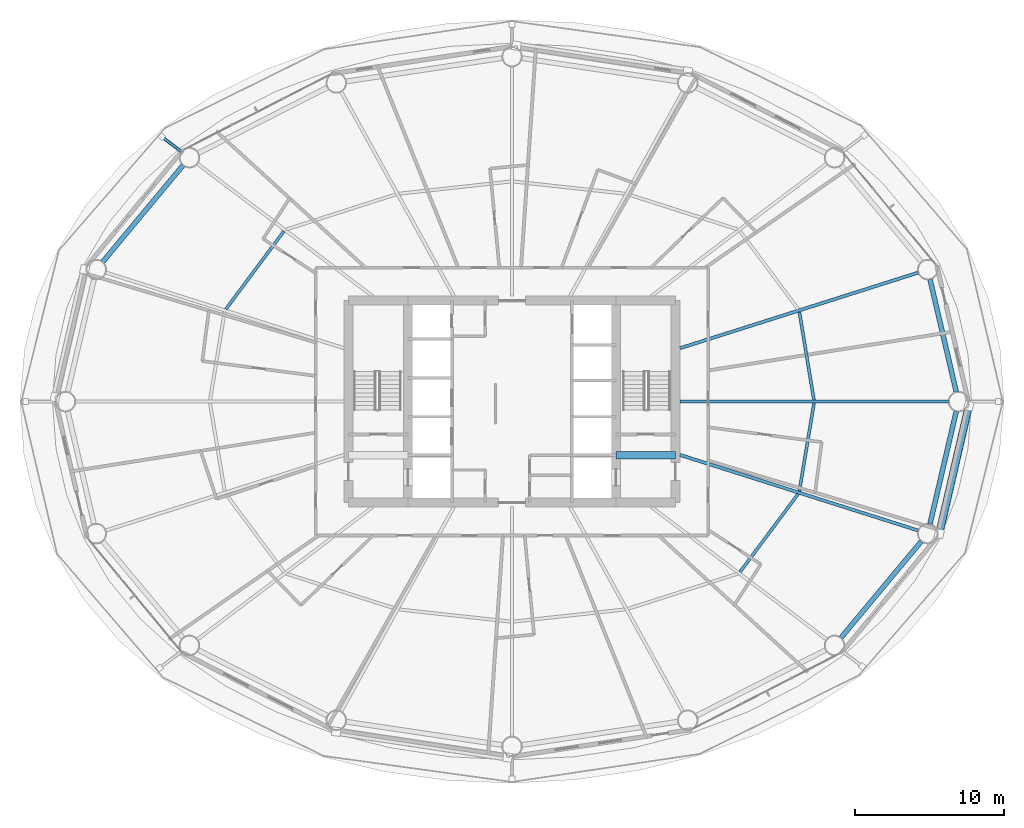
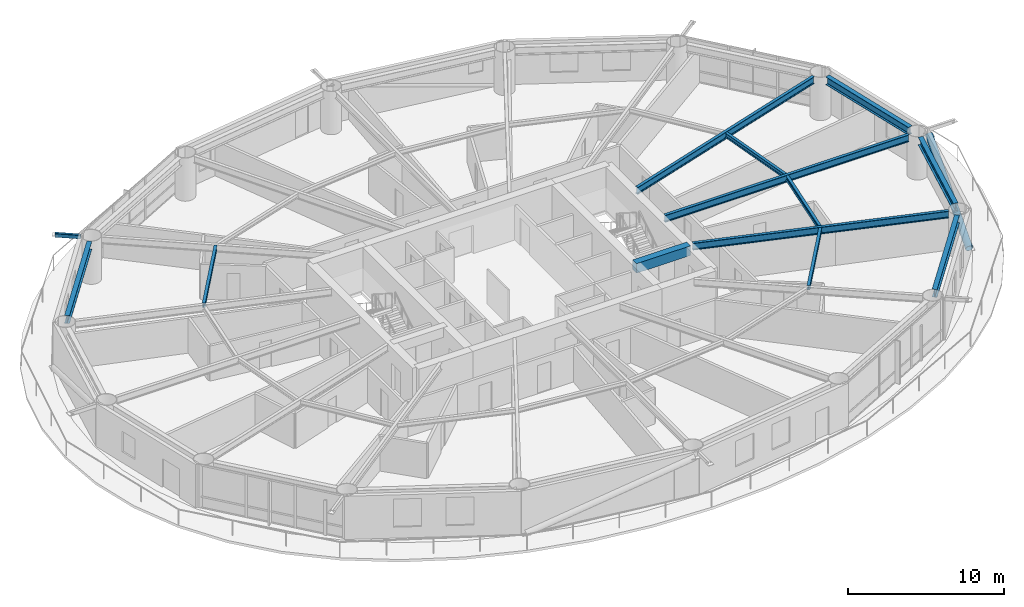
# One storey, part 9 of 26: 12 beams, 2 members.
"""IFC4 building model written with IfcOpenShell, lengths in metres."""

from ifc_helpers import new_model, si_unit, direction, frame, origin, origin_2d, place, context, subcontext, project, spatial, rectangle, hollow_rectangle, hollow_circle, i_section, extrude, material, material_profile, profile_set, type_object, element, save


model = new_model("IFC4")

# Units and contexts
model_context = context("Model", 3, precision=1e-05, world=origin(), true_north=direction((0.0, 1.0)))
body_context = subcontext(model_context, "Body", "Model", "MODEL_VIEW")
ifc_project = project(units=[si_unit("LENGTHUNIT", "METRE"), si_unit("AREAUNIT", "SQUARE_METRE"), si_unit("VOLUMEUNIT", "CUBIC_METRE"), si_unit("PLANEANGLEUNIT", "RADIAN"), si_unit("MASSUNIT", "GRAM", prefix="KILO")], contexts=[model_context])

# Site, building, storey
site_placement = place(None, origin())
site = spatial("IfcSite", under=ifc_project, at=site_placement, CompositionType="ELEMENT")
building_placement = place(site_placement, origin())
building = spatial("IfcBuilding", under=site, at=building_placement, Name="Sarneth Arch Tower", CompositionType="ELEMENT")
storey_placement = place(building_placement, frame((0.0, 0.0, 60.60009765625)))
storey = spatial("IfcBuildingStorey", under=building, at=storey_placement, Name="L14", CompositionType="ELEMENT", Elevation=60.60009765625)

# Beams
ifc_material_1 = material(Name="Steel S355", Category="steel")
ifc_material_profile_1 = material_profile(ifc_material_1, i_section(OverallWidth=0.2041015625, OverallDepth=0.35009765625, WebThickness=0.008544921875, FlangeThickness=0.01513671875, FilletRadius=0.014892578125, at=origin_2d()), Name="W360x72")
ifc_profile_set_1 = profile_set([ifc_material_profile_1], Name="Steel S355")
beam_type_1 = type_object("IfcBeamType", Name="BM-JOIST-360D", PredefinedType="JOIST", material=ifc_profile_set_1)
beam_1_placement = place(storey_placement, frame((68.312255859375, 42.10546875, 3.204833984375), z_axis=(-0.163917352659, 0.986474075431, 0.0), x_axis=(-0.986474075431, -0.163917352659, 0.0)))
element("IfcBeam", 1, at=beam_1_placement, inside=storey, type_object=beam_type_1, Name="L14 Secondary floor joist 01", PredefinedType="JOIST", context=body_context, shape_type="SweptSolid", body=[
    extrude(i_section(OverallWidth=0.2041015625, OverallDepth=0.35009765625, WebThickness=0.008544921875, FlangeThickness=0.01513671875, FilletRadius=0.014892578125, at=origin_2d()), origin(), (0.0, 0.0, 1.0), 6.000732421875),
])
for number, where, z_axis, x_axis, name in (
    (2, (32.661865234375, 53.463134765625, 3.204833984375), (-0.597453564101, -0.801903509621, 0.0), (0.801903509621, -0.597453564101, 0.0), "L14 Secondary floor joist 07"),
    (3, (63.338134765625, 30.536865234375, 3.204833984375), (0.597453564101, 0.801903509621, 0.0), (-0.801903509621, 0.597453564101, 0.0), "L14 Secondary floor joist 15"),
):
    element("IfcBeam", number, at=place(storey_placement, frame(where, z_axis=z_axis, x_axis=x_axis)), inside=storey, type_object=beam_type_1, Name=name, PredefinedType="JOIST", context=body_context, shape_type="SweptSolid", body=[
        extrude(i_section(OverallWidth=0.2041015625, OverallDepth=0.35009765625, WebThickness=0.008544921875, FlangeThickness=0.01513671875, FilletRadius=0.014892578125, at=origin_2d()), origin(), (0.0, 0.0, 1.0), 6.542724609375),
    ])
beam_2_placement = place(storey_placement, frame((67.32861328125, 35.974853515625, 3.204833984375), z_axis=(0.163917352659, 0.986474075431, 0.0), x_axis=(-0.986474075431, 0.163917352659, 0.0)))
element("IfcBeam", 4, at=beam_2_placement, inside=storey, type_object=beam_type_1, Name="L14 Secondary floor joist 16", PredefinedType="JOIST", context=body_context, shape_type="SweptSolid", body=[
    extrude(i_section(OverallWidth=0.2041015625, OverallDepth=0.35009765625, WebThickness=0.008544921875, FlangeThickness=0.01513671875, FilletRadius=0.014892578125, at=origin_2d()), origin(), (0.0, 0.0, 1.0), 6.000732421875),
])
ifc_material_2 = material(Name="Concrete C50/60", Category="concrete")
ifc_material_profile_2 = material_profile(ifc_material_2, rectangle(XDim=0.5, YDim=0.75, at=origin_2d()), Name="RC-500x750")
ifc_profile_set_2 = profile_set([ifc_material_profile_2], Name="Concrete C50/60")
beam_type_2 = type_object("IfcBeamType", Name="BM-LINTEL-RC", PredefinedType="LINTEL", material=ifc_profile_set_2)
beam_3_placement = place(storey_placement, frame((55.0, 38.39990234375, 3.0048828125), z_axis=(1.0, 0.0, 0.0), x_axis=(0.0, 1.0, 0.0)))
element("IfcBeam", 5, at=beam_3_placement, inside=storey, type_object=beam_type_2, Name="L14 Core coupling lintel E", PredefinedType="LINTEL", context=body_context, shape_type="SweptSolid", body=[
    extrude(rectangle(XDim=0.5, YDim=0.75, at=origin_2d()), origin(), (0.0, 0.0, 1.0), 4.0),
])
ifc_material_3 = material(Name="Steel S355", Category="steel")
ifc_material_profile_3 = material_profile(ifc_material_3, i_section(OverallWidth=0.214111328125, OverallDepth=0.549072265625, WebThickness=0.0146484375, FlangeThickness=0.023681640625, FilletRadius=0.01806640625, at=origin_2d()), Name="W530x138")
ifc_profile_set_3 = profile_set([ifc_material_profile_3], Name="Steel S355")
beam_type_3 = type_object("IfcBeamType", Name="BM-RAD-530A", PredefinedType="BEAM", material=ifc_profile_set_3)
beam_4_placement = place(storey_placement, frame((59.300048828125, 42.0, 3.10546875), z_axis=(1.0, 0.0, 0.0), x_axis=(0.0, 1.0, 0.0)))
element("IfcBeam", 6, at=beam_4_placement, inside=storey, type_object=beam_type_3, Name="L14 Radial floor girder 01", PredefinedType="BEAM", context=body_context, shape_type="SweptSolid", body=[
    extrude(i_section(OverallWidth=0.214111328125, OverallDepth=0.549072265625, WebThickness=0.0146484375, FlangeThickness=0.023681640625, FilletRadius=0.01806640625, at=origin_2d()), origin(), (0.0, 0.0, 1.0), 18.059814453125),
])
for number, where, z_axis, x_axis, name in (
    (7, (59.300048828125, 45.58740234375, 3.10546875), (0.953119945629, 0.302592744864, 0.0), (-0.302592744864, 0.953119945629, 0.0), "L14 Radial floor girder 02"),
    (8, (59.300048828125, 38.41259765625, 3.10546875), (0.953119945629, -0.302592744864, 0.0), (0.302592744864, 0.953119945629, 0.0), "L14 Radial floor girder 16"),
):
    element("IfcBeam", number, at=place(storey_placement, frame(where, z_axis=z_axis, x_axis=x_axis)), inside=storey, type_object=beam_type_3, Name=name, PredefinedType="BEAM", context=body_context, shape_type="SweptSolid", body=[
        extrude(i_section(OverallWidth=0.214111328125, OverallDepth=0.549072265625, WebThickness=0.0146484375, FlangeThickness=0.023681640625, FilletRadius=0.01806640625, at=origin_2d()), origin(), (0.0, 0.0, 1.0), 16.810302734375),
    ])
ifc_material_4 = material(Name="Steel S355", Category="steel")
ifc_material_profile_4 = material_profile(ifc_material_4, i_section(OverallWidth=0.326904296875, OverallDepth=0.6220703125, WebThickness=0.015380859375, FlangeThickness=0.0244140625, FilletRadius=0.01904296875, at=origin_2d()), Name="W610x195")
ifc_profile_set_4 = profile_set([ifc_material_profile_4], Name="Steel S355")
beam_type_4 = type_object("IfcBeamType", Name="BM-SPAN-610A", PredefinedType="SPANDREL", material=ifc_profile_set_4)
beam_5_placement = place(storey_placement, frame((77.881591796875, 42.657470703125, 3.06884765625), z_axis=(-0.227001042423, 0.973894515201, 0.0), x_axis=(-0.973894515201, -0.227001042423, 0.0)))
element("IfcBeam", 9, at=beam_5_placement, inside=storey, type_object=beam_type_4, Name="L14 Perimeter spandrel beam 01", PredefinedType="SPANDREL", context=body_context, shape_type="SweptSolid", body=[
    extrude(i_section(OverallWidth=0.326904296875, OverallDepth=0.6220703125, WebThickness=0.015380859375, FlangeThickness=0.0244140625, FilletRadius=0.01904296875, at=origin_2d()), origin(), (0.0, 0.0, 1.0), 7.76611328125),
])
for number, where, z_axis, x_axis, name in (
    (10, (25.871337890625, 57.88623046875, 3.06884765625), (-0.639979646835, -0.768391860731, 0.0), (0.768391860731, -0.639979646835, 0.0), "L14 Perimeter spandrel beam 07"),
    (11, (70.128662109375, 26.11376953125, 3.06884765625), (0.639979646835, 0.768391860731, 0.0), (-0.768391860731, 0.639979646835, 0.0), "L14 Perimeter spandrel beam 15"),
):
    element("IfcBeam", number, at=place(storey_placement, frame(where, z_axis=z_axis, x_axis=x_axis)), inside=storey, type_object=beam_type_4, Name=name, PredefinedType="SPANDREL", context=body_context, shape_type="SweptSolid", body=[
        extrude(i_section(OverallWidth=0.326904296875, OverallDepth=0.6220703125, WebThickness=0.015380859375, FlangeThickness=0.0244140625, FilletRadius=0.01904296875, at=origin_2d()), origin(), (0.0, 0.0, 1.0), 8.4453125),
    ])
beam_6_placement = place(storey_placement, frame((76.11865234375, 33.779052734375, 3.06884765625), z_axis=(0.227001042423, 0.973894515201, 0.0), x_axis=(-0.973894515201, 0.227001042423, 0.0)))
element("IfcBeam", 12, at=beam_6_placement, inside=storey, type_object=beam_type_4, Name="L14 Perimeter spandrel beam 16", PredefinedType="SPANDREL", context=body_context, shape_type="SweptSolid", body=[
    extrude(i_section(OverallWidth=0.326904296875, OverallDepth=0.6220703125, WebThickness=0.015380859375, FlangeThickness=0.0244140625, FilletRadius=0.01904296875, at=origin_2d()), origin(), (0.0, 0.0, 1.0), 7.76611328125),
])

# Members
ifc_material_5 = material(Name="Steel S355", Category="steel")
ifc_material_profile_5 = material_profile(ifc_material_5, hollow_rectangle(XDim=0.199951171875, YDim=0.300048828125, WallThickness=0.012451171875, InnerFilletRadius=0.018798828125, OuterFilletRadius=0.03125, at=origin_2d()), Name="RHS300x200x12.5")
ifc_profile_set_5 = profile_set([ifc_material_profile_5], Name="Steel S355")
member_type_1 = type_object("IfcMemberType", Name="MEM-CANT-STRUT", PredefinedType="STRUT", material=ifc_profile_set_5)
member_1_placement = place(storey_placement, frame((25.764892578125, 58.81201171875, 3.219970703125), z_axis=(-0.797623001242, 0.603156321272, 0.0), x_axis=(-0.603156321272, -0.797623001242, 0.0)))
element("IfcMember", 13, at=member_1_placement, inside=storey, type_object=member_type_1, Name="L14 Balcony cantilever bracket 07", PredefinedType="STRUT", context=body_context, shape_type="SweptSolid", body=[
    extrude(hollow_rectangle(XDim=0.199951171875, YDim=0.300048828125, WallThickness=0.012451171875, InnerFilletRadius=0.018798828125, OuterFilletRadius=0.03125, at=origin_2d()), origin(), (0.0, 0.0, 1.0), 1.656005859375),
])
ifc_material_6 = material(Name="Steel S355", Category="steel")
ifc_material_profile_6 = material_profile(ifc_material_6, hollow_circle(Radius=0.25390625, WallThickness=0.01611328125, at=origin_2d()), Name="CHS508x16")
ifc_profile_set_6 = profile_set([ifc_material_profile_6], Name="Steel S355")
member_type_2 = type_object("IfcMemberType", Name="MEM-DIAG-BR1", PredefinedType="BRACE", material=ifc_profile_set_6)
member_2_placement = place(storey_placement, frame((76.739013671875, 33.115478515625, 0.02001953125), z_axis=(0.213334102296, 0.922822074264, 0.320761562609), x_axis=(-0.974304339016, 0.225235554419, 0.0)))
element("IfcMember", 14, at=member_2_placement, inside=storey, type_object=member_type_2, Name="L14 Perimeter frame diagonal 16", PredefinedType="BRACE", context=body_context, shape_type="SweptSolid", body=[
    extrude(hollow_circle(Radius=0.25390625, WallThickness=0.01611328125, at=origin_2d()), origin(), (0.0, 0.0, 1.0), 9.310791015625),
])

save(model, "model.ifc")
